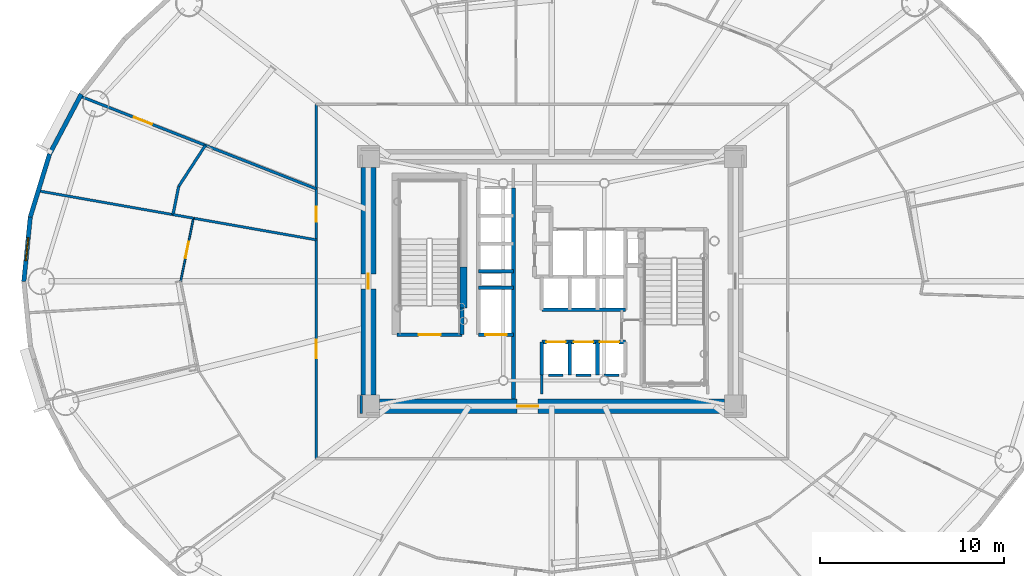
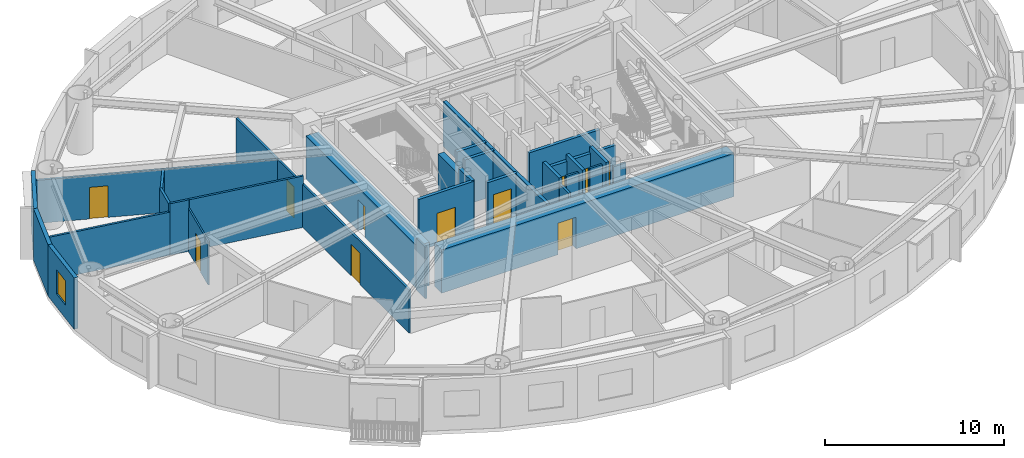
# One storey, part 12 of 22: 30 walls, 11 doors, 1 window, 12 openings.
"""IFC4 building model written with IfcOpenShell, lengths in metres."""

from ifc_helpers import new_model, si_unit, direction, frame, frame_2d, origin, origin_2d, place, context, subcontext, project, spatial, rectangle, extrude, source, transform, mapped, material, layer, layer_set, type_object, element, fill, save


model = new_model("IFC4")

# Units and contexts
model_context = context("Model", 3, precision=1e-05, world=origin(), true_north=direction((0.0, 1.0)))
body_context = subcontext(model_context, "Body", "Model", "MODEL_VIEW")
ifc_project = project(units=[si_unit("LENGTHUNIT", "METRE"), si_unit("AREAUNIT", "SQUARE_METRE"), si_unit("VOLUMEUNIT", "CUBIC_METRE"), si_unit("PLANEANGLEUNIT", "RADIAN"), si_unit("MASSUNIT", "GRAM", prefix="KILO")], contexts=[model_context])

# Site, building, storey
site_placement = place(None, origin())
site = spatial("IfcSite", under=ifc_project, at=site_placement, CompositionType="ELEMENT")
building_placement = place(site_placement, origin())
building = spatial("IfcBuilding", under=site, at=building_placement, Name="Linh Dai School and Residence Tower", CompositionType="ELEMENT")
storey_placement = place(building_placement, frame((0.0, 0.0, 130.949951171875)))
storey = spatial("IfcBuildingStorey", under=building, at=storey_placement, Name="L31", CompositionType="ELEMENT", Elevation=130.949951171875)

# Walls
ifc_material_1 = material(Name="Precast Concrete B45 (C35/45)", Category="concrete")
ifc_layer_1 = layer(ifc_material_1, 0.239990234375)
ifc_layer_set_1 = layer_set([ifc_layer_1], Name="Precast Concrete B45 (C35/45)")
wall_type_1 = type_object("IfcWallType", Name="EW-TC-240", PredefinedType="SOLIDWALL", material=ifc_layer_set_1)
wall_1_placement = place(storey_placement, frame((8.6298828125, 33.945068359375, 0.0), z_axis=(0.0, 0.0, 1.0), x_axis=(0.467614004126, 0.883932770716, 0.0)))
element("IfcWall", 1, at=wall_1_placement, inside=storey, type_object=wall_type_1, Name="L31 Terracotta Exterior Wall 18", PredefinedType="SOLIDWALL", context=body_context, shape_type="SweptSolid", body=[
    extrude(rectangle(XDim=3.688720703125, YDim=0.239990234375, at=frame_2d((1.84423828125, 0.0))), origin(), (0.0, 0.0, 1.0), 3.5),
])
wall_2_placement = place(storey_placement, frame((7.578369140625, 30.515380859375, 0.0), z_axis=(0.0, 0.0, 1.0), x_axis=(0.293124431344, 0.956074300329, 0.0)))
element("IfcWall", 2, at=wall_2_placement, inside=storey, type_object=wall_type_1, Name="L31 Terracotta Exterior Wall 19", PredefinedType="SOLIDWALL", context=body_context, shape_type="SweptSolid", body=[
    extrude(rectangle(XDim=3.587158203125, YDim=0.239990234375, at=frame_2d((1.79345703125, 0.0))), origin(), (0.0, 0.0, 1.0), 3.5),
])

# Wall, opening, window
wall_3_placement = place(storey_placement, frame((7.22509765625, 27.0, 0.0), z_axis=(0.0, 0.0, 1.0), x_axis=(0.099989468229, 0.994988495533, 0.0)))
wall_3 = element("IfcWall", 3, at=wall_3_placement, inside=storey, type_object=wall_type_1, Name="L31 Terracotta Exterior Wall 20", PredefinedType="SOLIDWALL", context=body_context, shape_type="SweptSolid", body=[
    extrude(rectangle(XDim=3.533203125, YDim=0.239990234375, at=frame_2d((1.7666015625, 0.0))), origin(), (0.0, 0.0, 1.0), 3.5),
])
opening_1_placement = place(wall_3_placement, frame((1.1416015625, 0.0, 0.89990234375)))
opening_1 = element("IfcOpeningElement", 4, at=opening_1_placement, cuts=wall_3, Name="Opening W3", PredefinedType="OPENING", context=body_context, shape_type="SweptSolid", body=[
    extrude(rectangle(XDim=1.25, YDim=1.64990234375, at=origin_2d()), frame((0.625, 0.1298828125, 0.824951171875), z_axis=(0.0, -1.0, 0.0), x_axis=(1.0, 0.0, 0.0)), (0.0, 0.0, 1.0), 0.260009765625),
])
ifc_material_2 = material(Name="Double Low-E Insulated Glazing", Category="glass")
window_type = type_object("IfcWindowType", Name="WN-RES-1250x1650", PartitioningType="SINGLE_PANEL", PredefinedType="WINDOW", material=ifc_material_2)
shared_shape_1 = source(origin(), body_context, "Body", "SweptSolid", [
    extrude(rectangle(XDim=1.25, YDim=1.64990234375, at=origin_2d()), frame((0.625, 0.030029296875, 0.824951171875), z_axis=(0.0, -1.0, 0.0), x_axis=(1.0, 0.0, 0.0)), (0.0, 0.0, 1.0), 0.06005859375),
])
window_placement = place(opening_1_placement, origin())
window = element("IfcWindow", 5, at=window_placement, inside=storey, type_object=window_type, Name="L31 Dwelling Window U3101-BD1", OverallHeight=1.64990234375, OverallWidth=1.25, PartitioningType="SINGLE_PANEL", PredefinedType="WINDOW", context=body_context, shape_type="MappedRepresentation", body=[
    mapped(shared_shape_1, transform((0.0, 0.0, 0.0), x_axis=(1.0, 0.0, 0.0), y_axis=(0.0, 1.0, 0.0), z_axis=(0.0, 0.0, 1.0), scale=1.0)),
])
fill(opening_1, window)

# Walls
ifc_material_3 = material(Name="Autoclaved Aerated Concrete Blockwork", Category="masonry")
ifc_layer_2 = layer(ifc_material_3, 0.135009765625)
ifc_layer_set_2 = layer_set([ifc_layer_2], Name="Autoclaved Aerated Concrete Blockwork")
wall_type_2 = type_object("IfcWallType", Name="IW-CORR-135-EI90", PredefinedType="PARTITIONING", material=ifc_layer_set_2)
wall_4_placement = place(storey_placement, frame((8.008544921875, 31.935546875, 0.0), z_axis=(0.0, 0.0, 1.0), x_axis=(0.984811568092, -0.173626539887, 0.0)))
element("IfcWall", 6, at=wall_4_placement, inside=storey, type_object=wall_type_2, Name="L31 Interior Partition Wall 002", PredefinedType="PARTITIONING", context=body_context, shape_type="SweptSolid", body=[
    extrude(rectangle(XDim=7.455322265625, YDim=0.135009765625, at=frame_2d((3.7275390625, 0.0))), origin(), (0.0, 0.0, 1.0), 2.93505859375),
])
wall_5_placement = place(storey_placement, frame((15.3603515625, 30.639404296875, 0.0), z_axis=(0.0, 0.0, 1.0), x_axis=(0.98480543172, -0.173661341855, 0.0)))
element("IfcWall", 7, at=wall_5_placement, inside=storey, type_object=wall_type_2, Name="L31 Interior Partition Wall 008", PredefinedType="PARTITIONING", context=body_context, shape_type="SweptSolid", body=[
    extrude(rectangle(XDim=1.123291015625, YDim=0.135009765625, at=frame_2d((0.5615234375, 0.0))), origin(), (0.0, 0.0, 1.0), 3.5),
])
wall_6_placement = place(storey_placement, frame((16.4765625, 30.442626953125, 0.0), z_axis=(0.0, 0.0, 1.0), x_axis=(0.984806038229, -0.173657902402, 0.0)))
element("IfcWall", 8, at=wall_6_placement, inside=storey, type_object=wall_type_2, Name="L31 Interior Partition Wall 012", PredefinedType="PARTITIONING", context=body_context, shape_type="SweptSolid", body=[
    extrude(rectangle(XDim=6.7763671875, YDim=0.135009765625, at=frame_2d((3.38818359375, 0.0))), origin(), (0.0, 0.0, 1.0), 3.5),
])

# Wall, openings, doors
wall_7_placement = place(storey_placement, frame((23.14990234375, 17.35009765625, 0.0), z_axis=(0.0, 0.0, 1.0), x_axis=(0.0, 1.0, 0.0)))
wall_7 = element("IfcWall", 9, at=wall_7_placement, inside=storey, type_object=wall_type_2, Name="L31 Interior Partition Wall 017", PredefinedType="PARTITIONING", context=body_context, shape_type="SweptSolid", body=[
    extrude(rectangle(XDim=19.2998046875, YDim=0.135009765625, at=frame_2d((9.64990234375, 0.0))), origin(), (0.0, 0.0, 1.0), 2.93505859375),
])
opening_2_placement = place(wall_7_placement, frame((5.477783203125, 0.0, 0.0)))
opening_2 = element("IfcOpeningElement", 10, at=opening_2_placement, cuts=wall_7, Name="Opening D03", PredefinedType="OPENING", context=body_context, shape_type="SweptSolid", body=[
    extrude(rectangle(XDim=1.0, YDim=2.14990234375, at=origin_2d()), frame((0.5, 0.07763671875, 1.074951171875), z_axis=(0.0, -1.0, 0.0), x_axis=(1.0, 0.0, 0.0)), (0.0, 0.0, 1.0), 0.155029296875),
])
opening_3_placement = place(wall_7_placement, frame((12.89599609375, 0.0, 0.0)))
opening_3 = element("IfcOpeningElement", 11, at=opening_3_placement, cuts=wall_7, Name="Opening D06", PredefinedType="OPENING", context=body_context, shape_type="SweptSolid", body=[
    extrude(rectangle(XDim=0.820068359375, YDim=2.10009765625, at=origin_2d()), frame((0.41015625, 0.07763671875, 1.050048828125), z_axis=(0.0, -1.0, 0.0), x_axis=(1.0, 0.0, 0.0)), (0.0, 0.0, 1.0), 0.155029296875),
])
ifc_material_4 = material(Name="Moisture-Resistant Timber Bathroom Door", Category="wood")
door_type_1 = type_object("IfcDoorType", Name="DR-WET-820x2100", OperationType="NOTDEFINED", PredefinedType="DOOR", material=ifc_material_4)
shared_shape_2 = source(origin(), body_context, "Body", "SweptSolid", [
    extrude(rectangle(XDim=0.820068359375, YDim=2.10009765625, at=origin_2d()), frame((0.41015625, 0.02490234375, 1.050048828125), z_axis=(0.0, -1.0, 0.0), x_axis=(1.0, 0.0, 0.0)), (0.0, 0.0, 1.0), 0.050048828125),
])
door_1_placement = place(opening_3_placement, origin())
door_1 = element("IfcDoor", 12, at=door_1_placement, inside=storey, type_object=door_type_1, Name="L31 Amenity Washroom Door", OperationType="SINGLE_SWING_RIGHT", OverallHeight=2.10009765625, OverallWidth=0.820068359375, PredefinedType="DOOR", context=body_context, shape_type="MappedRepresentation", body=[
    mapped(shared_shape_2, transform((0.0, 0.0, 0.0), x_axis=(1.0, 0.0, 0.0), y_axis=(0.0, 1.0, 0.0), z_axis=(0.0, 0.0, 1.0), scale=1.0)),
])
fill(opening_3, door_1)
ifc_material_5 = material(Name="Fire-Rated Solid Timber Entrance Door", Category="wood")
door_type_2 = type_object("IfcDoorType", Name="DR-FLAT-1000x2150-FD60S", OperationType="NOTDEFINED", PredefinedType="DOOR", material=ifc_material_5)
shared_shape_3 = source(origin(), body_context, "Body", "SweptSolid", [
    extrude(rectangle(XDim=1.0, YDim=2.14990234375, at=origin_2d()), frame((0.5, 0.02490234375, 1.074951171875), z_axis=(0.0, -1.0, 0.0), x_axis=(1.0, 0.0, 0.0)), (0.0, 0.0, 1.0), 0.050048828125),
])
door_2_placement = place(opening_2_placement, origin())
door_2 = element("IfcDoor", 13, at=door_2_placement, inside=storey, type_object=door_type_2, Name="L31 U3101 Apartment Entrance Door", OperationType="SINGLE_SWING_LEFT", OverallHeight=2.14990234375, OverallWidth=1.0, PredefinedType="DOOR", context=body_context, shape_type="MappedRepresentation", body=[
    mapped(shared_shape_3, transform((0.0, 0.0, 0.0), x_axis=(1.0, 0.0, 0.0), y_axis=(0.0, 1.0, 0.0), z_axis=(0.0, 0.0, 1.0), scale=1.0)),
])
fill(opening_2, door_2)

# Walls
wall_8_placement = place(storey_placement, frame((36.60009765625, 21.89990234375, 0.0), z_axis=(0.0, 0.0, 1.0), x_axis=(-1.0, 0.0, 0.0)))
element("IfcWall", 14, at=wall_8_placement, inside=storey, type_object=wall_type_2, Name="L31 Interior Partition Wall 094", PredefinedType="PARTITIONING", context=body_context, shape_type="SweptSolid", body=[
    extrude(rectangle(XDim=0.7900390625, YDim=0.135009765625, at=frame_2d((0.39501953125, 0.0))), origin(), (0.0, 0.0, 1.0), 3.5),
])
wall_9_placement = place(storey_placement, frame((38.1201171875, 21.89990234375, 0.0), z_axis=(0.0, 0.0, 1.0), x_axis=(-1.0, 0.0, 0.0)))
element("IfcWall", 15, at=wall_9_placement, inside=storey, type_object=wall_type_2, Name="L31 Interior Partition Wall 095", PredefinedType="PARTITIONING", context=body_context, shape_type="SweptSolid", body=[
    extrude(rectangle(XDim=0.800048828125, YDim=0.135009765625, at=frame_2d((0.39990234375, 0.0))), origin(), (0.0, 0.0, 1.0), 3.5),
])
wall_10_placement = place(storey_placement, frame((39.639892578125, 21.89990234375, 0.0), z_axis=(0.0, 0.0, 1.0), x_axis=(-1.0, 0.0, 0.0)))
element("IfcWall", 16, at=wall_10_placement, inside=storey, type_object=wall_type_2, Name="L31 Interior Partition Wall 096", PredefinedType="PARTITIONING", context=body_context, shape_type="SweptSolid", body=[
    extrude(rectangle(XDim=0.7998046875, YDim=0.135009765625, at=frame_2d((0.39990234375, 0.0))), origin(), (0.0, 0.0, 1.0), 3.0849609375),
])
wall_11_placement = place(storey_placement, frame((35.449951171875, 21.889892578125, 0.0), z_axis=(0.0, 0.0, 1.0), x_axis=(0.0, -1.0, 0.0)))
element("IfcWall", 17, at=wall_11_placement, inside=storey, type_object=wall_type_2, Name="L31 Interior Partition Wall 101", PredefinedType="PARTITIONING", context=body_context, shape_type="SweptSolid", body=[
    extrude(rectangle(XDim=1.02978515625, YDim=0.135009765625, at=frame_2d((0.514892578125, 0.0))), origin(), (0.0, 0.0, 1.0), 3.0849609375),
])
wall_12_placement = place(storey_placement, frame((25.60009765625, 20.7900390625, 0.0), z_axis=(0.0, 0.0, 1.0), x_axis=(0.0, -1.0, 0.0)))
element("IfcWall", 18, at=wall_12_placement, inside=storey, type_object=wall_type_2, Name="L31 Interior Partition Wall 108", PredefinedType="PARTITIONING", context=body_context, shape_type="SweptSolid", body=[
    extrude(rectangle(XDim=0.989990234375, YDim=0.135009765625, at=frame_2d((0.4951171875, 0.0))), origin(), (0.0, 0.0, 1.0), 3.5),
])

# Wall, opening, door
ifc_layer_3 = layer(ifc_material_3, 0.14990234375)
ifc_layer_set_3 = layer_set([ifc_layer_3], Name="Autoclaved Aerated Concrete Blockwork")
wall_type_3 = type_object("IfcWallType", Name="IW-SCH-150-EI60", PredefinedType="PARTITIONING", material=ifc_layer_set_3)
wall_13_placement = place(storey_placement, frame((10.291015625, 37.095947265625, 0.0), z_axis=(0.0, 0.0, 1.0), x_axis=(0.930798312434, -0.365533174376, 0.0)))
wall_13 = element("IfcWall", 19, at=wall_13_placement, inside=storey, type_object=wall_type_3, Name="L31 Interior Partition Wall 004", PredefinedType="PARTITIONING", context=body_context, shape_type="SweptSolid", body=[
    extrude(rectangle(XDim=13.81494140625, YDim=0.14990234375, at=frame_2d((6.907470703125, 0.0))), origin(), (0.0, 0.0, 1.0), 2.93505859375),
])
opening_4_placement = place(wall_13_placement, frame((3.162353515625, 0.0, 0.0)))
opening_4 = element("IfcOpeningElement", 20, at=opening_4_placement, cuts=wall_13, Name="Opening D04", PredefinedType="OPENING", context=body_context, shape_type="SweptSolid", body=[
    extrude(rectangle(XDim=1.050048828125, YDim=2.14990234375, at=origin_2d()), frame((0.52490234375, 0.0849609375, 1.074951171875), z_axis=(0.0, -1.0, 0.0), x_axis=(1.0, 0.0, 0.0)), (0.0, 0.0, 1.0), 0.169921875),
])
ifc_material_6 = material(Name="Acoustic Vision-Panel Timber Classroom Door", Category="wood")
door_type_3 = type_object("IfcDoorType", Name="DR-SCH-1050x2150-FD60S", OperationType="NOTDEFINED", PredefinedType="DOOR", material=ifc_material_6)
shared_shape_4 = source(origin(), body_context, "Body", "SweptSolid", [
    extrude(rectangle(XDim=1.050048828125, YDim=2.14990234375, at=origin_2d()), frame((0.52490234375, 0.02490234375, 1.074951171875), z_axis=(0.0, -1.0, 0.0), x_axis=(1.0, 0.0, 0.0)), (0.0, 0.0, 1.0), 0.050048828125),
])
door_3_placement = place(opening_4_placement, origin())
door_3 = element("IfcDoor", 21, at=door_3_placement, inside=storey, type_object=door_type_3, Name="L31 Amenity Tea Salon Door", OperationType="SINGLE_SWING_LEFT", OverallHeight=2.14990234375, OverallWidth=1.050048828125, PredefinedType="DOOR", context=body_context, shape_type="MappedRepresentation", body=[
    mapped(shared_shape_4, transform((0.0, 0.0, 0.0), x_axis=(1.0, 0.0, 0.0), y_axis=(0.0, 1.0, 0.0), z_axis=(0.0, 0.0, 1.0), scale=1.0)),
])
fill(opening_4, door_3)

# Walls
wall_14_placement = place(storey_placement, frame((15.3505859375, 30.64111328125, 0.0), z_axis=(0.0, 0.0, 1.0), x_axis=(0.198156082111, 0.980170478602, 0.0)))
element("IfcWall", 22, at=wall_14_placement, inside=storey, type_object=wall_type_3, Name="L31 Interior Partition Wall 007", PredefinedType="PARTITIONING", context=body_context, shape_type="SweptSolid", body=[
    extrude(rectangle(XDim=1.564697265625, YDim=0.14990234375, at=frame_2d((0.7822265625, 0.0))), origin(), (0.0, 0.0, 1.0), 3.5),
])
wall_15_placement = place(storey_placement, frame((15.66064453125, 32.1748046875, 0.0), z_axis=(0.0, 0.0, 1.0), x_axis=(0.54538967239, 0.838182620465, 0.0)))
element("IfcWall", 23, at=wall_15_placement, inside=storey, type_object=wall_type_3, Name="L31 Interior Partition Wall 009", PredefinedType="PARTITIONING", context=body_context, shape_type="SweptSolid", body=[
    extrude(rectangle(XDim=2.67236328125, YDim=0.14990234375, at=frame_2d((1.336181640625, 0.0))), origin(), (0.0, 0.0, 1.0), 2.93505859375),
])

# Wall, opening, door
ifc_material_7 = material(Name="Concrete B45 (C35/45)", Category="concrete")
ifc_layer_4 = layer(ifc_material_7, 0.199951171875)
ifc_layer_set_4 = layer_set([ifc_layer_4], Name="Concrete B45 (C35/45)")
wall_type_4 = type_object("IfcWallType", Name="IW-SHAFT-200-EI120", PredefinedType="PARTITIONING", material=ifc_layer_set_4)
wall_16_placement = place(storey_placement, frame((27.56005859375, 24.10009765625, 0.0), z_axis=(0.0, 0.0, 1.0), x_axis=(1.0, 0.0, 0.0)))
wall_16 = element("IfcWall", 24, at=wall_16_placement, inside=storey, type_object=wall_type_4, Name="L31 Interior Partition Wall 022", PredefinedType="PARTITIONING", context=body_context, shape_type="SweptSolid", body=[
    extrude(rectangle(XDim=3.5400390625, YDim=0.199951171875, at=frame_2d((1.77001953125, 0.0))), origin(), (0.0, 0.0, 1.0), 3.5),
])
opening_5_placement = place(wall_16_placement, frame((1.169921875, 0.0, 0.0)))
opening_5 = element("IfcOpeningElement", 25, at=opening_5_placement, cuts=wall_16, Name="Opening D01", PredefinedType="OPENING", context=body_context, shape_type="SweptSolid", body=[
    extrude(rectangle(XDim=1.199951171875, YDim=2.14990234375, at=origin_2d()), frame((0.60009765625, 0.10986328125, 1.074951171875), z_axis=(0.0, -1.0, 0.0), x_axis=(1.0, 0.0, 0.0)), (0.0, 0.0, 1.0), 0.219970703125),
])
ifc_material_8 = material(Name="Fire-Rated Steel Door Leaf", Category="steel")
door_type_4 = type_object("IfcDoorType", Name="DR-STAIR-1200x2150-FD90S", OperationType="NOTDEFINED", PredefinedType="DOOR", material=ifc_material_8)
shared_shape_5 = source(origin(), body_context, "Body", "SweptSolid", [
    extrude(rectangle(XDim=1.199951171875, YDim=2.14990234375, at=origin_2d()), frame((0.60009765625, 0.02490234375, 1.074951171875), z_axis=(0.0, -1.0, 0.0), x_axis=(1.0, 0.0, 0.0)), (0.0, 0.0, 1.0), 0.050048828125),
])
door_4_placement = place(opening_5_placement, origin())
door_4 = element("IfcDoor", 26, at=door_4_placement, inside=storey, type_object=door_type_4, Name="L31 Core Smokeproof Exit Stair ST1 Door", OperationType="SINGLE_SWING_LEFT", OverallHeight=2.14990234375, OverallWidth=1.199951171875, PredefinedType="DOOR", context=body_context, shape_type="MappedRepresentation", body=[
    mapped(shared_shape_5, transform((0.0, 0.0, 0.0), x_axis=(1.0, 0.0, 0.0), y_axis=(0.0, 1.0, 0.0), z_axis=(0.0, 0.0, 1.0), scale=1.0)),
])
fill(opening_5, door_4)

# Wall
wall_17_placement = place(storey_placement, frame((31.10009765625, 24.10009765625, 0.0), z_axis=(0.0, 0.0, 1.0), x_axis=(0.0, 1.0, 0.0)))
element("IfcWall", 27, at=wall_17_placement, inside=storey, type_object=wall_type_4, Name="L31 Interior Partition Wall 027", PredefinedType="PARTITIONING", context=body_context, shape_type="SweptSolid", body=[
    extrude(rectangle(XDim=1.43994140625, YDim=0.199951171875, at=frame_2d((0.719970703125, 0.0))), origin(), (0.0, 0.0, 1.0), 3.5),
])

# Wall, opening, door
wall_18_placement = place(storey_placement, frame((32.0, 24.10009765625, 0.0), z_axis=(0.0, 0.0, 1.0), x_axis=(1.0, 0.0, 0.0)))
wall_18 = element("IfcWall", 28, at=wall_18_placement, inside=storey, type_object=wall_type_4, Name="L31 Interior Partition Wall 030", PredefinedType="PARTITIONING", context=body_context, shape_type="SweptSolid", body=[
    extrude(rectangle(XDim=1.89990234375, YDim=0.199951171875, at=frame_2d((0.949951171875, 0.0))), origin(), (0.0, 0.0, 1.0), 3.0849609375),
])
opening_6_placement = place(wall_18_placement, frame((0.375, 0.0, 0.0)))
opening_6 = element("IfcOpeningElement", 29, at=opening_6_placement, cuts=wall_18, Name="Opening LD-FF2", PredefinedType="OPENING", context=body_context, shape_type="SweptSolid", body=[
    extrude(rectangle(XDim=1.14990234375, YDim=2.14990234375, at=origin_2d()), frame((0.574951171875, 0.10986328125, 1.074951171875), z_axis=(0.0, -1.0, 0.0), x_axis=(1.0, 0.0, 0.0)), (0.0, 0.0, 1.0), 0.219970703125),
])
ifc_material_9 = material(Name="Fire-Rated Stainless Steel Firefighting Lift Door", Category="steel")
door_type_5 = type_object("IfcDoorType", Name="DR-LD-FF-1150x2150-FD120", OperationType="DOUBLE_DOOR_SLIDING", PredefinedType="USERDEFINED", material=ifc_material_9)
shared_shape_6 = source(origin(), body_context, "Body", "SweptSolid", [
    extrude(rectangle(XDim=1.14990234375, YDim=2.14990234375, at=origin_2d()), frame((0.574951171875, 0.02490234375, 1.074951171875), z_axis=(0.0, -1.0, 0.0), x_axis=(1.0, 0.0, 0.0)), (0.0, 0.0, 1.0), 0.050048828125),
])
door_5_placement = place(opening_6_placement, origin())
door_5 = element("IfcDoor", 30, at=door_5_placement, inside=storey, type_object=door_type_5, Name="L31 Lift FF2 Sliding Landing Door", ObjectType="LANDING DOOR", OperationType="DOUBLE_DOOR_SLIDING", OverallHeight=2.14990234375, OverallWidth=1.14990234375, PredefinedType="USERDEFINED", context=body_context, shape_type="MappedRepresentation", body=[
    mapped(shared_shape_6, transform((0.0, 0.0, 0.0), x_axis=(1.0, 0.0, 0.0), y_axis=(0.0, 1.0, 0.0), z_axis=(0.0, 0.0, 1.0), scale=1.0)),
])
fill(opening_6, door_5)

# Walls
for number, where, z_axis, x_axis, name in (
    (31, (32.0, 26.64990234375, 0.0), (0.0, 0.0, 1.0), (1.0, 0.0, 0.0), "L31 Interior Partition Wall 031"),
    (32, (32.0, 27.550048828125, 0.0), (0.0, 0.0, 1.0), (1.0, 0.0, 0.0), "L31 Interior Partition Wall 032"),
):
    element("IfcWall", number, at=place(storey_placement, frame(where, z_axis=z_axis, x_axis=x_axis)), inside=storey, type_object=wall_type_4, Name=name, PredefinedType="PARTITIONING", context=body_context, shape_type="SweptSolid", body=[
        extrude(rectangle(XDim=1.89990234375, YDim=0.199951171875, at=frame_2d((0.949951171875, 0.0))), origin(), (0.0, 0.0, 1.0), 3.0849609375),
    ])
wall_19_placement = place(storey_placement, frame((33.89990234375, 20.60009765625, 0.0), z_axis=(0.0, 0.0, 1.0), x_axis=(0.0, 1.0, 0.0)))
element("IfcWall", 33, at=wall_19_placement, inside=storey, type_object=wall_type_4, Name="L31 Interior Partition Wall 036", PredefinedType="PARTITIONING", context=body_context, shape_type="SweptSolid", body=[
    extrude(rectangle(XDim=11.5, YDim=0.199951171875, at=frame_2d((5.75, 0.0))), origin(), (0.0, 0.0, 1.0), 3.0849609375),
])
wall_20_placement = place(storey_placement, frame((35.449951171875, 21.89990234375, 0.0), z_axis=(0.0, 0.0, 1.0), x_axis=(0.0, 1.0, 0.0)))
element("IfcWall", 34, at=wall_20_placement, inside=storey, type_object=wall_type_4, Name="L31 Interior Partition Wall 046", PredefinedType="PARTITIONING", context=body_context, shape_type="SweptSolid", body=[
    extrude(rectangle(XDim=1.800048828125, YDim=0.199951171875, at=frame_2d((0.89990234375, 0.0))), origin(), (0.0, 0.0, 1.0), 3.5),
])

# Wall, openings, doors
wall_21_placement = place(storey_placement, frame((35.449951171875, 23.699951171875, 0.0), z_axis=(0.0, 0.0, 1.0), x_axis=(1.0, 0.0, 0.0)))
wall_21 = element("IfcWall", 35, at=wall_21_placement, inside=storey, type_object=wall_type_4, Name="L31 Interior Partition Wall 047", PredefinedType="PARTITIONING", context=body_context, shape_type="SweptSolid", body=[
    extrude(rectangle(XDim=4.550048828125, YDim=0.199951171875, at=frame_2d((2.27490234375, 0.0))), origin(), (0.0, 0.0, 1.0), 3.0849609375),
])
opening_7_placement = place(wall_21_placement, frame((0.25, 0.0, 0.0)))
opening_7 = element("IfcOpeningElement", 36, at=opening_7_placement, cuts=wall_21, Name="Opening LD-PL1", PredefinedType="OPENING", context=body_context, shape_type="SweptSolid", body=[
    extrude(rectangle(XDim=1.050048828125, YDim=2.14990234375, at=origin_2d()), frame((0.52490234375, 0.10986328125, 1.074951171875), z_axis=(0.0, -1.0, 0.0), x_axis=(1.0, 0.0, 0.0)), (0.0, 0.0, 1.0), 0.219970703125),
])
opening_8_placement = place(wall_21_placement, frame((1.7451171875, 0.0, 0.0)))
opening_8 = element("IfcOpeningElement", 37, at=opening_8_placement, cuts=wall_21, Name="Opening LD-PL2", PredefinedType="OPENING", context=body_context, shape_type="SweptSolid", body=[
    extrude(rectangle(XDim=1.050048828125, YDim=2.14990234375, at=origin_2d()), frame((0.52490234375, 0.10986328125, 1.074951171875), z_axis=(0.0, -1.0, 0.0), x_axis=(1.0, 0.0, 0.0)), (0.0, 0.0, 1.0), 0.219970703125),
])
opening_9_placement = place(wall_21_placement, frame((3.1650390625, 0.0, 0.0)))
opening_9 = element("IfcOpeningElement", 38, at=opening_9_placement, cuts=wall_21, Name="Opening LD-PL3", PredefinedType="OPENING", context=body_context, shape_type="SweptSolid", body=[
    extrude(rectangle(XDim=1.050048828125, YDim=2.14990234375, at=origin_2d()), frame((0.52490234375, 0.10986328125, 1.074951171875), z_axis=(0.0, -1.0, 0.0), x_axis=(1.0, 0.0, 0.0)), (0.0, 0.0, 1.0), 0.219970703125),
])
ifc_material_10 = material(Name="Brushed Stainless Steel Lift Landing Door", Category="steel")
door_type_6 = type_object("IfcDoorType", Name="DR-LD-PASS-1050x2150", OperationType="DOUBLE_DOOR_SLIDING", PredefinedType="USERDEFINED", material=ifc_material_10)
shared_shape_7 = source(origin(), body_context, "Body", "SweptSolid", [
    extrude(rectangle(XDim=1.050048828125, YDim=2.14990234375, at=origin_2d()), frame((0.52490234375, 0.02490234375, 1.074951171875), z_axis=(0.0, -1.0, 0.0), x_axis=(1.0, 0.0, 0.0)), (0.0, 0.0, 1.0), 0.050048828125),
])
door_6_placement = place(opening_7_placement, origin())
door_6 = element("IfcDoor", 39, at=door_6_placement, inside=storey, type_object=door_type_6, Name="L31 Lift PL1 Sliding Landing Door", ObjectType="LANDING DOOR", OperationType="DOUBLE_DOOR_SLIDING", OverallHeight=2.14990234375, OverallWidth=1.050048828125, PredefinedType="USERDEFINED", context=body_context, shape_type="MappedRepresentation", body=[
    mapped(shared_shape_7, transform((0.0, 0.0, 0.0), x_axis=(1.0, 0.0, 0.0), y_axis=(0.0, 1.0, 0.0), z_axis=(0.0, 0.0, 1.0), scale=1.0)),
])
fill(opening_7, door_6)
door_7_placement = place(opening_8_placement, origin())
door_7 = element("IfcDoor", 40, at=door_7_placement, inside=storey, type_object=door_type_6, Name="L31 Lift PL2 Sliding Landing Door", ObjectType="LANDING DOOR", OperationType="DOUBLE_DOOR_SLIDING", OverallHeight=2.14990234375, OverallWidth=1.050048828125, PredefinedType="USERDEFINED", context=body_context, shape_type="MappedRepresentation", body=[
    mapped(shared_shape_7, transform((0.0, 0.0, 0.0), x_axis=(1.0, 0.0, 0.0), y_axis=(0.0, 1.0, 0.0), z_axis=(0.0, 0.0, 1.0), scale=1.0)),
])
fill(opening_8, door_7)
door_8_placement = place(opening_9_placement, origin())
door_8 = element("IfcDoor", 41, at=door_8_placement, inside=storey, type_object=door_type_6, Name="L31 Lift PL3 Sliding Landing Door", ObjectType="LANDING DOOR", OperationType="DOUBLE_DOOR_SLIDING", OverallHeight=2.14990234375, OverallWidth=1.050048828125, PredefinedType="USERDEFINED", context=body_context, shape_type="MappedRepresentation", body=[
    mapped(shared_shape_7, transform((0.0, 0.0, 0.0), x_axis=(1.0, 0.0, 0.0), y_axis=(0.0, 1.0, 0.0), z_axis=(0.0, 0.0, 1.0), scale=1.0)),
])
fill(opening_9, door_8)

# Walls
wall_22_placement = place(storey_placement, frame((35.449951171875, 25.449951171875, 0.0), z_axis=(0.0, 0.0, 1.0), x_axis=(1.0, 0.0, 0.0)))
element("IfcWall", 42, at=wall_22_placement, inside=storey, type_object=wall_type_4, Name="L31 Interior Partition Wall 049", PredefinedType="PARTITIONING", context=body_context, shape_type="SweptSolid", body=[
    extrude(rectangle(XDim=4.550048828125, YDim=0.199951171875, at=frame_2d((2.27490234375, 0.0))), origin(), (0.0, 0.0, 1.0), 3.0849609375),
])
for number, where, z_axis, x_axis, name in (
    (43, (36.9599609375, 21.89990234375, 0.0), (0.0, 0.0, 1.0), (0.0, 1.0, 0.0), "L31 Interior Partition Wall 053"),
    (44, (38.47998046875, 21.89990234375, 0.0), (0.0, 0.0, 1.0), (0.0, 1.0, 0.0), "L31 Interior Partition Wall 058"),
):
    element("IfcWall", number, at=place(storey_placement, frame(where, z_axis=z_axis, x_axis=x_axis)), inside=storey, type_object=wall_type_4, Name=name, PredefinedType="PARTITIONING", context=body_context, shape_type="SweptSolid", body=[
        extrude(rectangle(XDim=1.800048828125, YDim=0.199951171875, at=frame_2d((0.89990234375, 0.0))), origin(), (0.0, 0.0, 1.0), 3.5),
    ])

# Wall, opening, door
ifc_material_11 = material(Name="Gypsum Plasterboard Acoustic Stud Partition", Category="masonry")
ifc_layer_5 = layer(ifc_material_11, 0.10009765625)
ifc_layer_set_5 = layer_set([ifc_layer_5], Name="Gypsum Plasterboard Acoustic Stud Partition")
wall_type_5 = type_object("IfcWallType", Name="IW-UNIT-100", PredefinedType="PARTITIONING", material=ifc_layer_set_5)
wall_23_placement = place(storey_placement, frame((15.77001953125, 27.0, 0.0), z_axis=(0.0, 0.0, 1.0), x_axis=(0.198213309, 0.980158907594, 0.0)))
wall_23 = element("IfcWall", 45, at=wall_23_placement, inside=storey, type_object=wall_type_5, Name="L31 Interior Partition Wall 010", PredefinedType="PARTITIONING", context=body_context, shape_type="SweptSolid", body=[
    extrude(rectangle(XDim=3.51416015625, YDim=0.10009765625, at=frame_2d((1.757080078125, 0.0))), origin(), (0.0, 0.0, 1.0), 2.93505859375),
])
opening_10_placement = place(wall_23_placement, frame((1.306884765625, 0.0, 0.0)))
opening_10 = element("IfcOpeningElement", 46, at=opening_10_placement, cuts=wall_23, Name="Opening D05", PredefinedType="OPENING", context=body_context, shape_type="SweptSolid", body=[
    extrude(rectangle(XDim=0.89990234375, YDim=2.10009765625, at=origin_2d()), frame((0.449951171875, 0.06005859375, 1.050048828125), z_axis=(0.0, -1.0, 0.0), x_axis=(1.0, 0.0, 0.0)), (0.0, 0.0, 1.0), 0.1201171875),
])
ifc_material_12 = material(Name="Engineered Timber Internal Door", Category="wood")
door_type_7 = type_object("IfcDoorType", Name="DR-INT-900x2100", OperationType="NOTDEFINED", PredefinedType="DOOR", material=ifc_material_12)
shared_shape_8 = source(origin(), body_context, "Body", "SweptSolid", [
    extrude(rectangle(XDim=0.89990234375, YDim=2.10009765625, at=origin_2d()), frame((0.449951171875, 0.02490234375, 1.050048828125), z_axis=(0.0, -1.0, 0.0), x_axis=(1.0, 0.0, 0.0)), (0.0, 0.0, 1.0), 0.050048828125),
])
door_9_placement = place(opening_10_placement, origin())
door_9 = element("IfcDoor", 47, at=door_9_placement, inside=storey, type_object=door_type_7, Name="L31 Apartment U3101 Principal Bedroom 1 Door", OperationType="SINGLE_SWING_RIGHT", OverallHeight=2.10009765625, OverallWidth=0.89990234375, PredefinedType="DOOR", context=body_context, shape_type="MappedRepresentation", body=[
    mapped(shared_shape_8, transform((0.0, 0.0, 0.0), x_axis=(1.0, 0.0, 0.0), y_axis=(0.0, 1.0, 0.0), z_axis=(0.0, 0.0, 1.0), scale=1.0)),
])
fill(opening_10, door_9)

# Wall
ifc_layer_6 = layer(ifc_material_7, 0.39990234375)
ifc_layer_set_6 = layer_set([ifc_layer_6], Name="Concrete B45 (C35/45)")
wall_type_6 = type_object("IfcWallType", Name="WL-CORE400", PredefinedType="SHEAR", material=ifc_layer_set_6)
wall_24_placement = place(storey_placement, frame((31.179931640625, 25.550048828125, 0.0), z_axis=(0.0, 0.0, 1.0), x_axis=(0.0, 1.0, 0.0)))
element("IfcWall", 48, at=wall_24_placement, inside=storey, type_object=wall_type_6, Name="L31 Internal Core Shear Wall IW", PredefinedType="SHEAR", context=body_context, shape_type="SweptSolid", body=[
    extrude(rectangle(XDim=2.25, YDim=0.39990234375, at=frame_2d((1.125, 0.0))), origin(), (0.0, 0.0, 1.0), 3.10009765625),
])

# Wall, opening, door
ifc_material_13 = material(Name="Concrete B60 (C50/60)", Category="concrete")
ifc_layer_7 = layer(ifc_material_13, 0.800048828125)
ifc_layer_set_7 = layer_set([ifc_layer_7], Name="Concrete B60 (C50/60)")
wall_type_7 = type_object("IfcWallType", Name="WL-CORE800", PredefinedType="SHEAR", material=ifc_layer_set_7)
wall_25_placement = place(storey_placement, frame((45.39990234375, 20.199951171875, 0.0), z_axis=(0.0, 0.0, 1.0), x_axis=(-1.0, 0.0, 0.0)))
wall_25 = element("IfcWall", 49, at=wall_25_placement, inside=storey, type_object=wall_type_7, Name="L31 Central Core Shear Wall S", PredefinedType="SHEAR", context=body_context, shape_type="SweptSolid", body=[
    extrude(rectangle(XDim=18.7998046875, YDim=0.800048828125, at=frame_2d((9.39990234375, 0.0))), origin(), (0.0, 0.0, 1.0), 2.949951171875),
])
opening_11_placement = place(wall_25_placement, frame((10.14990234375, 0.0, 0.0)))
opening_11 = element("IfcOpeningElement", 50, at=opening_11_placement, cuts=wall_25, Name="Opening D02", PredefinedType="OPENING", context=body_context, shape_type="SweptSolid", body=[
    extrude(rectangle(XDim=1.14990234375, YDim=2.14990234375, at=origin_2d()), frame((0.574951171875, 0.41015625, 1.074951171875), z_axis=(0.0, -1.0, 0.0), x_axis=(1.0, 0.0, 0.0)), (0.0, 0.0, 1.0), 0.820068359375),
])
ifc_material_14 = material(Name="Fire-Rated Glazed Steel Lobby Door", Category="steel")
door_type_8 = type_object("IfcDoorType", Name="DR-LOBBY-1150x2150-FD90S", OperationType="NOTDEFINED", PredefinedType="DOOR", material=ifc_material_14)
shared_shape_9 = source(origin(), body_context, "Body", "SweptSolid", [
    extrude(rectangle(XDim=1.14990234375, YDim=2.14990234375, at=origin_2d()), frame((0.574951171875, 0.02490234375, 1.074951171875), z_axis=(0.0, -1.0, 0.0), x_axis=(1.0, 0.0, 0.0)), (0.0, 0.0, 1.0), 0.050048828125),
])
door_10_placement = place(opening_11_placement, origin())
door_10 = element("IfcDoor", 51, at=door_10_placement, inside=storey, type_object=door_type_8, Name="L31 Passenger Foyer Access Door", OperationType="SINGLE_SWING_RIGHT", OverallHeight=2.14990234375, OverallWidth=1.14990234375, PredefinedType="DOOR", context=body_context, shape_type="MappedRepresentation", body=[
    mapped(shared_shape_9, transform((0.0, 0.0, 0.0), x_axis=(1.0, 0.0, 0.0), y_axis=(0.0, 1.0, 0.0), z_axis=(0.0, 0.0, 1.0), scale=1.0)),
])
fill(opening_11, door_10)

wall_26_placement = place(storey_placement, frame((26.0, 20.800048828125, 0.0), z_axis=(0.0, 0.0, 1.0), x_axis=(0.0, 1.0, 0.0)))
wall_26 = element("IfcWall", 52, at=wall_26_placement, inside=storey, type_object=wall_type_7, Name="L31 Central Core Shear Wall W", PredefinedType="SHEAR", context=body_context, shape_type="SweptSolid", body=[
    extrude(rectangle(XDim=12.39990234375, YDim=0.800048828125, at=frame_2d((6.199951171875, 0.0))), origin(), (0.0, 0.0, 1.0), 2.949951171875),
])
opening_12_placement = place(wall_26_placement, frame((5.7900390625, 0.0, 0.0)))
opening_12 = element("IfcOpeningElement", 53, at=opening_12_placement, cuts=wall_26, Name="Opening D06", PredefinedType="OPENING", context=body_context, shape_type="SweptSolid", body=[
    extrude(rectangle(XDim=0.820068359375, YDim=2.10009765625, at=origin_2d()), frame((0.41015625, 0.41015625, 1.050048828125), z_axis=(0.0, -1.0, 0.0), x_axis=(1.0, 0.0, 0.0)), (0.0, 0.0, 1.0), 0.820068359375),
])
door_11_placement = place(opening_12_placement, origin())
door_11 = element("IfcDoor", 54, at=door_11_placement, inside=storey, type_object=door_type_1, Name="L31 Firefighting Lobby Door", OperationType="SINGLE_SWING_RIGHT", OverallHeight=2.10009765625, OverallWidth=0.820068359375, PredefinedType="DOOR", context=body_context, shape_type="MappedRepresentation", body=[
    mapped(shared_shape_2, transform((0.0, 0.0, 0.0), x_axis=(1.0, 0.0, 0.0), y_axis=(0.0, 1.0, 0.0), z_axis=(0.0, 0.0, 1.0), scale=1.0)),
])
fill(opening_12, door_11)

save(model, "model.ifc")
